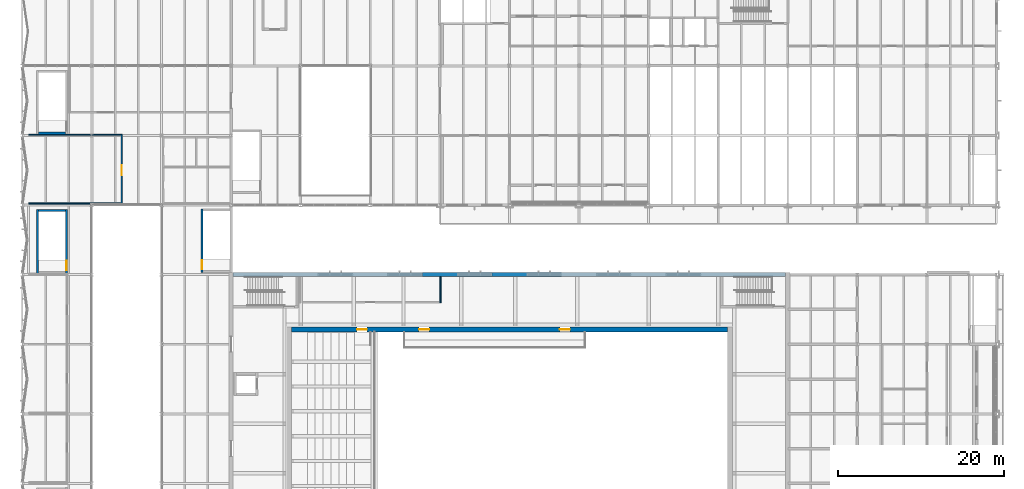
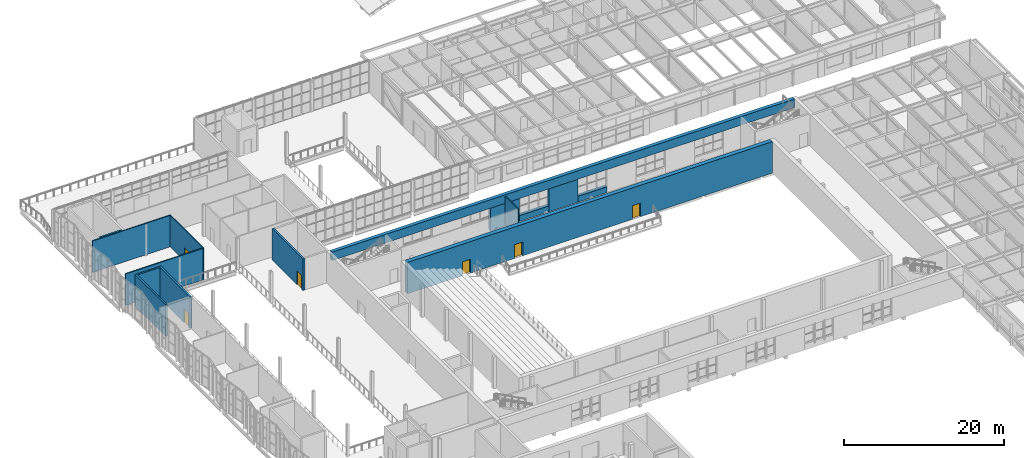
# One storey, part 76 of 116: 15 walls, 6 doors, 6 openings.
"""IFC4 building model written with IfcOpenShell, lengths in metres."""

from ifc_helpers import new_model, si_unit, direction, frame, frame_2d, origin, place, context, subcontext, project, spatial, rectangle, extrude, material, layer, layer_set, type_object, element, fill, save


model = new_model("IFC4")

# Units and contexts
model_context = context("Model", 3, precision=1e-05, world=origin(), true_north=direction((0.0, 1.0)))
body_context = subcontext(model_context, "Body", "Model", "MODEL_VIEW")
ifc_project = project(units=[si_unit("LENGTHUNIT", "METRE"), si_unit("AREAUNIT", "SQUARE_METRE"), si_unit("VOLUMEUNIT", "CUBIC_METRE"), si_unit("PLANEANGLEUNIT", "RADIAN"), si_unit("MASSUNIT", "GRAM", prefix="KILO")], contexts=[model_context])

# Site, building, storey
site_placement = place(None, origin())
site = spatial("IfcSite", under=ifc_project, at=site_placement, CompositionType="ELEMENT")
building_placement = place(site_placement, origin())
building = spatial("IfcBuilding", under=site, at=building_placement, Name="Ljudholm Concert House", CompositionType="ELEMENT")
storey_placement = place(building_placement, frame((0.0, 0.0, 10.199951171875)))
storey = spatial("IfcBuildingStorey", under=building, at=storey_placement, Name="L02", CompositionType="ELEMENT", Elevation=10.199951171875)

# Wall
ifc_material_1 = material(Name="Gypsum board on steel studs", Category="steel")
ifc_layer_1 = layer(ifc_material_1, 0.14990234375)
ifc_layer_set_1 = layer_set([ifc_layer_1], Name="Gypsum board on steel studs")
wall_type_1 = type_object("IfcWallType", Name="GYPSUM PARTITION 150", PredefinedType="PARTITIONING", material=ifc_layer_set_1)
wall_1_placement = place(storey_placement, frame((54.47509765625, 93.0, 0.0), z_axis=(0.0, 0.0, 1.0), x_axis=(0.0, 1.0, 0.0)))
element("IfcWall", 1, at=wall_1_placement, inside=storey, type_object=wall_type_1, Name="Hall Bar partition", PredefinedType="PARTITIONING", context=body_context, shape_type="SweptSolid", body=[
    extrude(rectangle(XDim=3.14990234375, YDim=0.14990234375, at=frame_2d((1.574951171875, 0.0))), origin(), (0.0, 0.0, 1.0), 4.550048828125),
])

# Wall, opening, door
wall_2_placement = place(storey_placement, frame((16.0, 104.925048828125, 0.0), z_axis=(0.0, 0.0, 1.0), x_axis=(0.0, 1.0, 0.0)))
wall_2 = element("IfcWall", 2, at=wall_2_placement, inside=storey, type_object=wall_type_1, Name="Room wall", PredefinedType="PARTITIONING", context=body_context, shape_type="SweptSolid", body=[
    extrude(rectangle(XDim=8.425048828125, YDim=0.14990234375, at=frame_2d((4.21240234375, 0.0))), origin(), (0.0, 0.0, 1.0), 4.800048828125),
])
opening_1_placement = place(wall_2_placement, frame((3.47509765625, 0.0, 0.0)))
opening_1 = element("IfcOpeningElement", 3, at=opening_1_placement, cuts=wall_2, Name="Opening D-S02-018", PredefinedType="OPENING", context=body_context, shape_type="SweptSolid", body=[
    extrude(rectangle(XDim=1.199951171875, YDim=2.10009765625, at=frame_2d((0.60009765625, 1.050048828125))), frame((0.0, 0.0849609375, 0.0), z_axis=(0.0, -1.0, 0.0), x_axis=(1.0, 0.0, 0.0)), (0.0, 0.0, 1.0), 0.169921875),
])
ifc_material_2 = material(Name="Hollow metal door in steel frame", Category="steel")
door_type_1 = type_object("IfcDoorType", Name="SWING DOOR 1200x2100", OperationType="SINGLE_SWING_LEFT", PredefinedType="DOOR", material=ifc_material_2)
door_1_placement = place(opening_1_placement, origin())
door_1 = element("IfcDoor", 4, at=door_1_placement, inside=storey, type_object=door_type_1, Name="Exhibition Gallery door", OperationType="SINGLE_SWING_LEFT", OverallHeight=2.10009765625, OverallWidth=1.199951171875, PredefinedType="DOOR", context=body_context, shape_type="SweptSolid", body=[
    extrude(rectangle(XDim=1.199951171875, YDim=2.10009765625, at=frame_2d((0.60009765625, 1.050048828125))), frame((0.0, 0.02490234375, 0.0), z_axis=(0.0, -1.0, 0.0), x_axis=(1.0, 0.0, 0.0)), (0.0, 0.0, 1.0), 0.050048828125),
])
fill(opening_1, door_1)

# Walls
for number, where, z_axis, x_axis, name in (
    (5, (4.75, 105.0, 0.0), (0.0, 0.0, 1.0), (1.0, 0.0, 0.0), "Room wall"),
    (6, (4.75, 113.27490234375, 0.0), (0.0, 0.0, 1.0), (1.0, 0.0, 0.0), "Room wall"),
):
    element("IfcWall", number, at=place(storey_placement, frame(where, z_axis=z_axis, x_axis=x_axis)), inside=storey, type_object=wall_type_1, Name=name, PredefinedType="PARTITIONING", context=body_context, shape_type="SweptSolid", body=[
        extrude(rectangle(XDim=11.175048828125, YDim=0.14990234375, at=frame_2d((5.58740234375, 0.0))), origin(), (0.0, 0.0, 1.0), 4.800048828125),
    ])

# Wall, opening, door
ifc_material_3 = material(Name="Concrete 6,500 psi", Category="concrete")
ifc_layer_2 = layer(ifc_material_3, 0.25)
ifc_layer_set_2 = layer_set([ifc_layer_2], Name="Concrete 6,500 psi")
wall_type_2 = type_object("IfcWallType", Name="RC CORE WALL 250", PredefinedType="SHEAR", material=ifc_layer_set_2)
wall_3_placement = place(storey_placement, frame((25.675048828125, 96.64990234375, 0.0), z_axis=(0.0, 0.0, 1.0), x_axis=(0.0, 1.0, 0.0)))
wall_3 = element("IfcWall", 7, at=wall_3_placement, inside=storey, type_object=wall_type_2, Name="Stair enclosure wall", PredefinedType="SHEAR", context=body_context, shape_type="SweptSolid", body=[
    extrude(rectangle(XDim=7.7001953125, YDim=0.25, at=frame_2d((3.85009765625, 0.0))), origin(), (0.0, 0.0, 1.0), 4.800048828125),
])
opening_2_placement = place(wall_3_placement, frame((0.39990234375, 0.0, 0.0)))
opening_2 = element("IfcOpeningElement", 8, at=opening_2_placement, cuts=wall_3, Name="Opening D-S02-007", PredefinedType="OPENING", context=body_context, shape_type="SweptSolid", body=[
    extrude(rectangle(XDim=1.10009765625, YDim=2.10009765625, at=frame_2d((0.550048828125, 1.050048828125))), frame((0.0, 0.135009765625, 0.0), z_axis=(0.0, -1.0, 0.0), x_axis=(1.0, 0.0, 0.0)), (0.0, 0.0, 1.0), 0.27001953125),
])
ifc_material_4 = material(Name="Hollow metal door in steel frame", Category="steel")
door_type_2 = type_object("IfcDoorType", Name="SWING DOOR 1100x2100", OperationType="SINGLE_SWING_LEFT", PredefinedType="DOOR", material=ifc_material_4)
door_2_placement = place(opening_2_placement, frame((1.10009765625, 0.0, 0.0), z_axis=(0.0, 0.0, 1.0), x_axis=(-1.0, 0.0, 0.0)))
door_2 = element("IfcDoor", 9, at=door_2_placement, inside=storey, type_object=door_type_2, Name="Stair door", OperationType="SINGLE_SWING_RIGHT", OverallHeight=2.10009765625, OverallWidth=1.10009765625, PredefinedType="DOOR", context=body_context, shape_type="SweptSolid", body=[
    extrude(rectangle(XDim=1.10009765625, YDim=2.10009765625, at=frame_2d((0.550048828125, 1.050048828125))), frame((0.0, 0.02490234375, 0.0), z_axis=(0.0, -1.0, 0.0), x_axis=(1.0, 0.0, 0.0)), (0.0, 0.0, 1.0), 0.050048828125),
])
fill(opening_2, door_2)

# Wall
wall_4_placement = place(storey_placement, frame((5.824951171875, 96.550048828125, 0.0), z_axis=(0.0, 0.0, 1.0), x_axis=(0.0, 1.0, 0.0)))
element("IfcWall", 10, at=wall_4_placement, inside=storey, type_object=wall_type_2, Name="Stair enclosure wall", PredefinedType="SHEAR", context=body_context, shape_type="SweptSolid", body=[
    extrude(rectangle(XDim=7.699951171875, YDim=0.25, at=frame_2d((3.85009765625, 0.0))), origin(), (0.0, 0.0, 1.0), 4.800048828125),
])

# Wall, opening, door
wall_5_placement = place(storey_placement, frame((9.324951171875, 96.550048828125, 0.0), z_axis=(0.0, 0.0, 1.0), x_axis=(0.0, 1.0, 0.0)))
wall_5 = element("IfcWall", 11, at=wall_5_placement, inside=storey, type_object=wall_type_2, Name="Stair enclosure wall", PredefinedType="SHEAR", context=body_context, shape_type="SweptSolid", body=[
    extrude(rectangle(XDim=7.699951171875, YDim=0.25, at=frame_2d((3.85009765625, 0.0))), origin(), (0.0, 0.0, 1.0), 4.800048828125),
])
opening_3_placement = place(wall_5_placement, frame((0.39990234375, 0.0, 0.0)))
opening_3 = element("IfcOpeningElement", 12, at=opening_3_placement, cuts=wall_5, Name="Opening D-S02-009", PredefinedType="OPENING", context=body_context, shape_type="SweptSolid", body=[
    extrude(rectangle(XDim=1.10009765625, YDim=2.10009765625, at=frame_2d((0.550048828125, 1.050048828125))), frame((0.0, 0.135009765625, 0.0), z_axis=(0.0, -1.0, 0.0), x_axis=(1.0, 0.0, 0.0)), (0.0, 0.0, 1.0), 0.27001953125),
])
door_3_placement = place(opening_3_placement, origin())
door_3 = element("IfcDoor", 13, at=door_3_placement, inside=storey, type_object=door_type_2, Name="Stair door", OperationType="SINGLE_SWING_LEFT", OverallHeight=2.10009765625, OverallWidth=1.10009765625, PredefinedType="DOOR", context=body_context, shape_type="SweptSolid", body=[
    extrude(rectangle(XDim=1.10009765625, YDim=2.10009765625, at=frame_2d((0.550048828125, 1.050048828125))), frame((0.0, 0.02490234375, 0.0), z_axis=(0.0, -1.0, 0.0), x_axis=(1.0, 0.0, 0.0)), (0.0, 0.0, 1.0), 0.050048828125),
])
fill(opening_3, door_3)

# Walls
for number, where, z_axis, x_axis, name in (
    (14, (5.949951171875, 104.125, 0.0), (0.0, 0.0, 1.0), (1.0, 0.0, 0.0), "Stair enclosure wall"),
    (15, (5.949951171875, 113.47509765625, 0.0), (0.0, 0.0, 1.0), (1.0, 0.0, 0.0), "Stair enclosure wall"),
):
    element("IfcWall", number, at=place(storey_placement, frame(where, z_axis=z_axis, x_axis=x_axis)), inside=storey, type_object=wall_type_2, Name=name, PredefinedType="SHEAR", context=body_context, shape_type="SweptSolid", body=[
        extrude(rectangle(XDim=3.25, YDim=0.25, at=frame_2d((1.625, 0.0))), origin(), (0.0, 0.0, 1.0), 4.800048828125),
    ])
ifc_material_5 = material(Name="Concrete 6,500 psi", Category="concrete")
ifc_layer_3 = layer(ifc_material_5, 0.5)
ifc_layer_set_3 = layer_set([ifc_layer_3], Name="Concrete 6,500 psi")
wall_type_3 = type_object("IfcWallType", Name="RC WALL 500", PredefinedType="SOLIDWALL", material=ifc_layer_set_3)
for number, where, z_axis, x_axis, name in (
    (16, (52.300048828125, 96.39990234375, 0.0), (0.0, 0.0, 1.0), (1.0, 0.0, 0.0), "Outer wall N"),
    (17, (60.699951171875, 96.39990234375, 0.0), (0.0, 0.0, 1.0), (1.0, 0.0, 0.0), "Outer wall N"),
):
    element("IfcWall", number, at=place(storey_placement, frame(where, z_axis=z_axis, x_axis=x_axis)), inside=storey, type_object=wall_type_3, Name=name, PredefinedType="SOLIDWALL", context=body_context, shape_type="SweptSolid", body=[
        extrude(rectangle(XDim=4.199951171875, YDim=0.5, at=frame_2d((2.10009765625, 0.0))), origin(), (0.0, 0.0, 1.0), 3.5),
    ])
wall_6_placement = place(storey_placement, frame((56.5, 96.39990234375, 0.0), z_axis=(0.0, 0.0, 1.0), x_axis=(1.0, 0.0, 0.0)))
element("IfcWall", 18, at=wall_6_placement, inside=storey, type_object=wall_type_3, Name="Outer wall N", PredefinedType="SOLIDWALL", context=body_context, shape_type="SweptSolid", body=[
    extrude(rectangle(XDim=4.199951171875, YDim=0.5, at=frame_2d((2.10009765625, 0.0))), origin(), (0.0, 0.0, 1.0), 0.900146484375),
])
wall_7_placement = place(storey_placement, frame((64.89990234375, 96.39990234375, 0.0), z_axis=(0.0, 0.0, 1.0), x_axis=(1.0, 0.0, 0.0)))
element("IfcWall", 19, at=wall_7_placement, inside=storey, type_object=wall_type_3, Name="Outer wall N", PredefinedType="SOLIDWALL", context=body_context, shape_type="SweptSolid", body=[
    extrude(rectangle(XDim=4.2001953125, YDim=0.5, at=frame_2d((2.10009765625, 0.0))), origin(), (0.0, 0.0, 1.0), 0.900146484375),
])
wall_8_placement = place(storey_placement, frame((29.449951171875, 96.39990234375, 3.5), z_axis=(0.0, 0.0, 1.0), x_axis=(1.0, 0.0, 0.0)))
element("IfcWall", 20, at=wall_8_placement, inside=storey, type_object=wall_type_3, Name="Outer wall N", PredefinedType="SOLIDWALL", context=body_context, shape_type="SweptSolid", body=[
    extrude(rectangle(XDim=66.699951171875, YDim=0.5, at=frame_2d((33.35009765625, 0.0))), origin(), (0.0, 0.0, 1.0), 1.300048828125),
])

# Wall, openings, doors
ifc_material_6 = material(Name="Concrete 6,500 psi", Category="concrete")
ifc_layer_4 = layer(ifc_material_6, 0.60009765625)
ifc_layer_set_4 = layer_set([ifc_layer_4], Name="Concrete 6,500 psi")
wall_type_4 = type_object("IfcWallType", Name="RC WALL 600", PredefinedType="SOLIDWALL", material=ifc_layer_set_4)
wall_9_placement = place(storey_placement, frame((36.5, 89.800048828125, 0.0), z_axis=(0.0, 0.0, 1.0), x_axis=(1.0, 0.0, 0.0)))
wall_9 = element("IfcWall", 21, at=wall_9_placement, inside=storey, type_object=wall_type_4, Name="Inner box wall N", PredefinedType="SOLIDWALL", context=body_context, shape_type="SweptSolid", body=[
    extrude(rectangle(XDim=52.60009765625, YDim=0.60009765625, at=frame_2d((26.300048828125, 0.0))), origin(), (0.0, 0.0, 1.0), 4.800048828125),
])
opening_4_placement = place(wall_9_placement, frame((7.89990234375, 0.0, 0.0)))
opening_4 = element("IfcOpeningElement", 22, at=opening_4_placement, cuts=wall_9, Name="Opening D-H02-017", PredefinedType="OPENING", context=body_context, shape_type="SweptSolid", body=[
    extrude(rectangle(XDim=1.199951171875, YDim=2.10009765625, at=frame_2d((0.60009765625, 1.050048828125))), frame((0.0, 0.31005859375, 0.0), z_axis=(0.0, -1.0, 0.0), x_axis=(1.0, 0.0, 0.0)), (0.0, 0.0, 1.0), 0.6201171875),
])
opening_5_placement = place(wall_9_placement, frame((15.39990234375, 0.0, 0.0)))
opening_5 = element("IfcOpeningElement", 23, at=opening_5_placement, cuts=wall_9, Name="Opening D-H02-018", PredefinedType="OPENING", context=body_context, shape_type="SweptSolid", body=[
    extrude(rectangle(XDim=1.199951171875, YDim=2.10009765625, at=frame_2d((0.60009765625, 1.050048828125))), frame((0.0, 0.31005859375, 0.0), z_axis=(0.0, -1.0, 0.0), x_axis=(1.0, 0.0, 0.0)), (0.0, 0.0, 1.0), 0.6201171875),
])
opening_6_placement = place(wall_9_placement, frame((32.39990234375, 0.0, 0.0)))
opening_6 = element("IfcOpeningElement", 24, at=opening_6_placement, cuts=wall_9, Name="Opening D-H02-019", PredefinedType="OPENING", context=body_context, shape_type="SweptSolid", body=[
    extrude(rectangle(XDim=1.199951171875, YDim=2.10009765625, at=frame_2d((0.60009765625, 1.050048828125))), frame((0.0, 0.31005859375, 0.0), z_axis=(0.0, -1.0, 0.0), x_axis=(1.0, 0.0, 0.0)), (0.0, 0.0, 1.0), 0.6201171875),
])
door_4_placement = place(opening_4_placement, frame((1.199951171875, 0.0, 0.0), z_axis=(0.0, 0.0, 1.0), x_axis=(-1.0, 0.0, 0.0)))
door_4 = element("IfcDoor", 25, at=door_4_placement, inside=storey, type_object=door_type_1, Name="Hall door", OperationType="SINGLE_SWING_LEFT", OverallHeight=2.10009765625, OverallWidth=1.199951171875, PredefinedType="DOOR", context=body_context, shape_type="SweptSolid", body=[
    extrude(rectangle(XDim=1.199951171875, YDim=2.10009765625, at=frame_2d((0.60009765625, 1.050048828125))), frame((0.0, 0.02490234375, 0.0), z_axis=(0.0, -1.0, 0.0), x_axis=(1.0, 0.0, 0.0)), (0.0, 0.0, 1.0), 0.050048828125),
])
fill(opening_4, door_4)
door_5_placement = place(opening_5_placement, frame((1.199951171875, 0.0, 0.0), z_axis=(0.0, 0.0, 1.0), x_axis=(-1.0, 0.0, 0.0)))
door_5 = element("IfcDoor", 26, at=door_5_placement, inside=storey, type_object=door_type_1, Name="Hall door", OperationType="SINGLE_SWING_RIGHT", OverallHeight=2.10009765625, OverallWidth=1.199951171875, PredefinedType="DOOR", context=body_context, shape_type="SweptSolid", body=[
    extrude(rectangle(XDim=1.199951171875, YDim=2.10009765625, at=frame_2d((0.60009765625, 1.050048828125))), frame((0.0, 0.02490234375, 0.0), z_axis=(0.0, -1.0, 0.0), x_axis=(1.0, 0.0, 0.0)), (0.0, 0.0, 1.0), 0.050048828125),
])
fill(opening_5, door_5)
door_6_placement = place(opening_6_placement, frame((1.199951171875, 0.0, 0.0), z_axis=(0.0, 0.0, 1.0), x_axis=(-1.0, 0.0, 0.0)))
door_6 = element("IfcDoor", 27, at=door_6_placement, inside=storey, type_object=door_type_1, Name="Hall door", OperationType="SINGLE_SWING_LEFT", OverallHeight=2.10009765625, OverallWidth=1.199951171875, PredefinedType="DOOR", context=body_context, shape_type="SweptSolid", body=[
    extrude(rectangle(XDim=1.199951171875, YDim=2.10009765625, at=frame_2d((0.60009765625, 1.050048828125))), frame((0.0, 0.02490234375, 0.0), z_axis=(0.0, -1.0, 0.0), x_axis=(1.0, 0.0, 0.0)), (0.0, 0.0, 1.0), 0.050048828125),
])
fill(opening_6, door_6)

save(model, "model.ifc")
